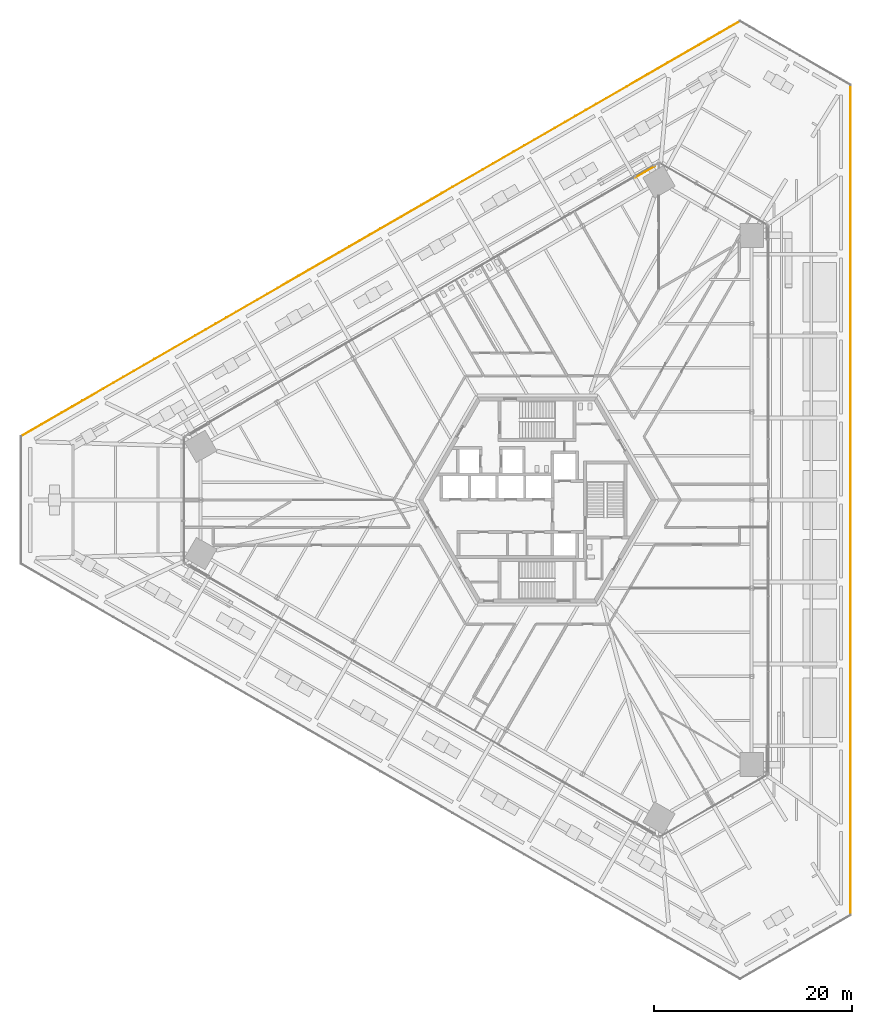
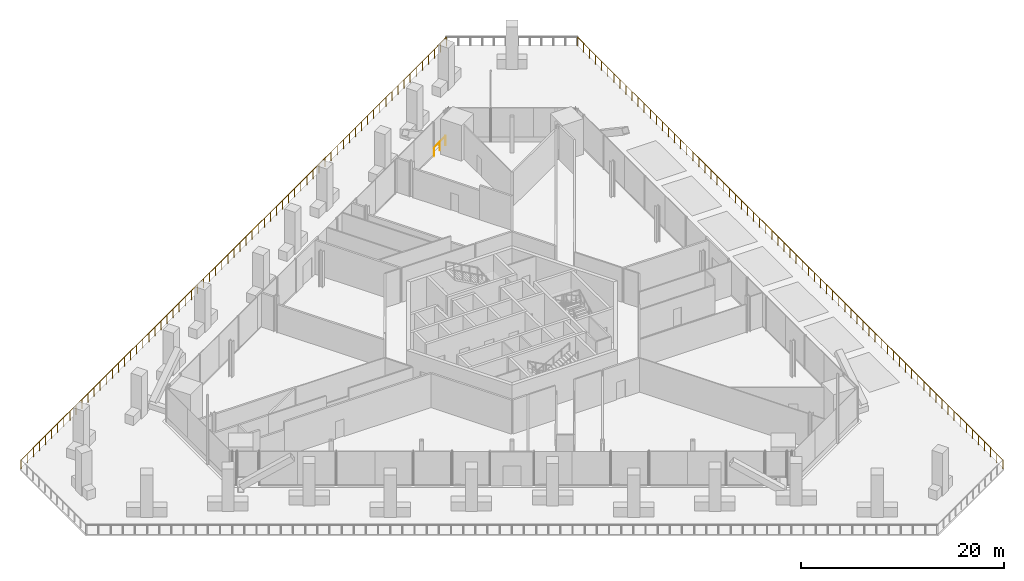
# One storey, part 34 of 38: 3 railings.
"""IFC4 building model written with IfcOpenShell, lengths in metres."""

from ifc_helpers import new_model, si_unit, direction, frame, origin, origin_2d, place, context, subcontext, project, spatial, circle, extrude, source, transform, mapped, material, type_object, element, save


model = new_model("IFC4")

# Units and contexts
model_context = context("Model", 3, precision=1e-05, world=origin(), true_north=direction((0.0, 1.0)))
body_context = subcontext(model_context, "Body", "Model", "MODEL_VIEW")
ifc_project = project(units=[si_unit("LENGTHUNIT", "METRE"), si_unit("AREAUNIT", "SQUARE_METRE"), si_unit("VOLUMEUNIT", "CUBIC_METRE"), si_unit("PLANEANGLEUNIT", "RADIAN"), si_unit("MASSUNIT", "GRAM", prefix="KILO")], contexts=[model_context])

# Site, building, storey
site_placement = place(None, origin())
site = spatial("IfcSite", under=ifc_project, at=site_placement, CompositionType="ELEMENT")
building_placement = place(site_placement, origin())
building = spatial("IfcBuilding", under=site, at=building_placement, Name="Triune Harvest Tower", CompositionType="ELEMENT")
storey_placement = place(building_placement, frame((0.0, 0.0, 16.0)))
storey = spatial("IfcBuildingStorey", under=building, at=storey_placement, Name="L03", CompositionType="ELEMENT", Elevation=16.0)

# Railings
ifc_material_1 = material(Name="Steel ASTM A992 Gr 50", Category="steel")
railing_type_1 = type_object("IfcRailingType", Name="GD-1 terrace guard 1100", PredefinedType="GUARDRAIL", material=ifc_material_1)
railing_1_placement = place(storey_placement, frame((-52.150146484375, 6.4423828125, 0.0)))
element("IfcRailing", 1, at=railing_1_placement, inside=storey, type_object=railing_type_1, Name="Terrace guard 4", PredefinedType="GUARDRAIL", context=body_context, shape_type="SweptSolid", body=[
    extrude(circle(Radius=0.02392578125, at=origin_2d()), frame((0.0, 0.0, 1.076171875), z_axis=(0.866025644997, 0.499999582207, 0.0), x_axis=(-0.499999582207, 0.866025644997, 0.0)), (0.0, 0.0, 1.0), 83.88427734375),
    extrude(circle(Radius=0.02099609375, at=origin_2d()), origin(), (0.0, 0.0, 1.0), 1.052001953125),
    extrude(circle(Radius=0.02099609375, at=origin_2d()), frame((1.037841796875, 0.59912109375, 0.0)), (0.0, 0.0, 1.0), 1.052001953125),
    extrude(circle(Radius=0.02099609375, at=origin_2d()), frame((2.07568359375, 1.1982421875, 0.0)), (0.0, 0.0, 1.0), 1.052001953125),
    extrude(circle(Radius=0.02099609375, at=origin_2d()), frame((3.11328125, 1.797607421875, 0.0)), (0.0, 0.0, 1.0), 1.052001953125),
    extrude(circle(Radius=0.02099609375, at=origin_2d()), frame((4.151123046875, 2.396728515625, 0.0)), (0.0, 0.0, 1.0), 1.052001953125),
    extrude(circle(Radius=0.02099609375, at=origin_2d()), frame((5.18896484375, 2.995849609375, 0.0)), (0.0, 0.0, 1.0), 1.052001953125),
    extrude(circle(Radius=0.02099609375, at=origin_2d()), frame((6.226806640625, 3.594970703125, 0.0)), (0.0, 0.0, 1.0), 1.052001953125),
    extrude(circle(Radius=0.02099609375, at=origin_2d()), frame((7.2646484375, 4.1943359375, 0.0)), (0.0, 0.0, 1.0), 1.052001953125),
    extrude(circle(Radius=0.02099609375, at=origin_2d()), frame((8.302490234375, 4.79345703125, 0.0)), (0.0, 0.0, 1.0), 1.052001953125),
    extrude(circle(Radius=0.02099609375, at=origin_2d()), frame((9.340087890625, 5.392578125, 0.0)), (0.0, 0.0, 1.0), 1.052001953125),
    extrude(circle(Radius=0.02099609375, at=origin_2d()), frame((10.3779296875, 5.99169921875, 0.0)), (0.0, 0.0, 1.0), 1.052001953125),
    extrude(circle(Radius=0.02099609375, at=origin_2d()), frame((11.415771484375, 6.5908203125, 0.0)), (0.0, 0.0, 1.0), 1.052001953125),
    extrude(circle(Radius=0.02099609375, at=origin_2d()), frame((12.45361328125, 7.190185546875, 0.0)), (0.0, 0.0, 1.0), 1.052001953125),
    extrude(circle(Radius=0.02099609375, at=origin_2d()), frame((13.491455078125, 7.789306640625, 0.0)), (0.0, 0.0, 1.0), 1.052001953125),
    extrude(circle(Radius=0.02099609375, at=origin_2d()), frame((14.529296875, 8.388427734375, 0.0)), (0.0, 0.0, 1.0), 1.052001953125),
    extrude(circle(Radius=0.02099609375, at=origin_2d()), frame((15.56689453125, 8.987548828125, 0.0)), (0.0, 0.0, 1.0), 1.052001953125),
    extrude(circle(Radius=0.02099609375, at=origin_2d()), frame((16.604736328125, 9.586669921875, 0.0)), (0.0, 0.0, 1.0), 1.052001953125),
    extrude(circle(Radius=0.02099609375, at=origin_2d()), frame((17.642578125, 10.18603515625, 0.0)), (0.0, 0.0, 1.0), 1.052001953125),
    extrude(circle(Radius=0.02099609375, at=origin_2d()), frame((18.680419921875, 10.78515625, 0.0)), (0.0, 0.0, 1.0), 1.052001953125),
    extrude(circle(Radius=0.02099609375, at=origin_2d()), frame((19.71826171875, 11.38427734375, 0.0)), (0.0, 0.0, 1.0), 1.052001953125),
    extrude(circle(Radius=0.02099609375, at=origin_2d()), frame((20.756103515625, 11.9833984375, 0.0)), (0.0, 0.0, 1.0), 1.052001953125),
    extrude(circle(Radius=0.02099609375, at=origin_2d()), frame((21.793701171875, 12.58251953125, 0.0)), (0.0, 0.0, 1.0), 1.052001953125),
    extrude(circle(Radius=0.02099609375, at=origin_2d()), frame((22.83154296875, 13.181884765625, 0.0)), (0.0, 0.0, 1.0), 1.052001953125),
    extrude(circle(Radius=0.02099609375, at=origin_2d()), frame((23.869384765625, 13.781005859375, 0.0)), (0.0, 0.0, 1.0), 1.052001953125),
    extrude(circle(Radius=0.02099609375, at=origin_2d()), frame((24.9072265625, 14.380126953125, 0.0)), (0.0, 0.0, 1.0), 1.052001953125),
    extrude(circle(Radius=0.02099609375, at=origin_2d()), frame((25.945068359375, 14.979248046875, 0.0)), (0.0, 0.0, 1.0), 1.052001953125),
    extrude(circle(Radius=0.02099609375, at=origin_2d()), frame((26.98291015625, 15.57861328125, 0.0)), (0.0, 0.0, 1.0), 1.052001953125),
    extrude(circle(Radius=0.02099609375, at=origin_2d()), frame((28.0205078125, 16.177734375, 0.0)), (0.0, 0.0, 1.0), 1.052001953125),
    extrude(circle(Radius=0.02099609375, at=origin_2d()), frame((29.058349609375, 16.77685546875, 0.0)), (0.0, 0.0, 1.0), 1.052001953125),
    extrude(circle(Radius=0.02099609375, at=origin_2d()), frame((30.09619140625, 17.3759765625, 0.0)), (0.0, 0.0, 1.0), 1.052001953125),
    extrude(circle(Radius=0.02099609375, at=origin_2d()), frame((31.134033203125, 17.97509765625, 0.0)), (0.0, 0.0, 1.0), 1.052001953125),
    extrude(circle(Radius=0.02099609375, at=origin_2d()), frame((32.171875, 18.574462890625, 0.0)), (0.0, 0.0, 1.0), 1.052001953125),
    extrude(circle(Radius=0.02099609375, at=origin_2d()), frame((33.209716796875, 19.173583984375, 0.0)), (0.0, 0.0, 1.0), 1.052001953125),
    extrude(circle(Radius=0.02099609375, at=origin_2d()), frame((34.247314453125, 19.772705078125, 0.0)), (0.0, 0.0, 1.0), 1.052001953125),
    extrude(circle(Radius=0.02099609375, at=origin_2d()), frame((35.28515625, 20.371826171875, 0.0)), (0.0, 0.0, 1.0), 1.052001953125),
    extrude(circle(Radius=0.02099609375, at=origin_2d()), frame((36.322998046875, 20.97119140625, 0.0)), (0.0, 0.0, 1.0), 1.052001953125),
    extrude(circle(Radius=0.02099609375, at=origin_2d()), frame((37.36083984375, 21.5703125, 0.0)), (0.0, 0.0, 1.0), 1.052001953125),
    extrude(circle(Radius=0.02099609375, at=origin_2d()), frame((38.398681640625, 22.16943359375, 0.0)), (0.0, 0.0, 1.0), 1.052001953125),
    extrude(circle(Radius=0.02099609375, at=origin_2d()), frame((39.436279296875, 22.7685546875, 0.0)), (0.0, 0.0, 1.0), 1.052001953125),
    extrude(circle(Radius=0.02099609375, at=origin_2d()), frame((40.47412109375, 23.36767578125, 0.0)), (0.0, 0.0, 1.0), 1.052001953125),
    extrude(circle(Radius=0.02099609375, at=origin_2d()), frame((41.511962890625, 23.967041015625, 0.0)), (0.0, 0.0, 1.0), 1.052001953125),
    extrude(circle(Radius=0.02099609375, at=origin_2d()), frame((42.5498046875, 24.566162109375, 0.0)), (0.0, 0.0, 1.0), 1.052001953125),
    extrude(circle(Radius=0.02099609375, at=origin_2d()), frame((43.587646484375, 25.165283203125, 0.0)), (0.0, 0.0, 1.0), 1.052001953125),
    extrude(circle(Radius=0.02099609375, at=origin_2d()), frame((44.62548828125, 25.764404296875, 0.0)), (0.0, 0.0, 1.0), 1.052001953125),
    extrude(circle(Radius=0.02099609375, at=origin_2d()), frame((45.6630859375, 26.363525390625, 0.0)), (0.0, 0.0, 1.0), 1.052001953125),
    extrude(circle(Radius=0.02099609375, at=origin_2d()), frame((46.700927734375, 26.962890625, 0.0)), (0.0, 0.0, 1.0), 1.052001953125),
    extrude(circle(Radius=0.02099609375, at=origin_2d()), frame((47.73876953125, 27.56201171875, 0.0)), (0.0, 0.0, 1.0), 1.052001953125),
    extrude(circle(Radius=0.02099609375, at=origin_2d()), frame((48.776611328125, 28.1611328125, 0.0)), (0.0, 0.0, 1.0), 1.052001953125),
    extrude(circle(Radius=0.02099609375, at=origin_2d()), frame((49.814453125, 28.76025390625, 0.0)), (0.0, 0.0, 1.0), 1.052001953125),
    extrude(circle(Radius=0.02099609375, at=origin_2d()), frame((50.852294921875, 29.359375, 0.0)), (0.0, 0.0, 1.0), 1.052001953125),
    extrude(circle(Radius=0.02099609375, at=origin_2d()), frame((51.889892578125, 29.958740234375, 0.0)), (0.0, 0.0, 1.0), 1.052001953125),
    extrude(circle(Radius=0.02099609375, at=origin_2d()), frame((52.927734375, 30.557861328125, 0.0)), (0.0, 0.0, 1.0), 1.052001953125),
    extrude(circle(Radius=0.02099609375, at=origin_2d()), frame((53.965576171875, 31.156982421875, 0.0)), (0.0, 0.0, 1.0), 1.052001953125),
    extrude(circle(Radius=0.02099609375, at=origin_2d()), frame((55.00341796875, 31.756103515625, 0.0)), (0.0, 0.0, 1.0), 1.052001953125),
    extrude(circle(Radius=0.02099609375, at=origin_2d()), frame((56.041259765625, 32.35546875, 0.0)), (0.0, 0.0, 1.0), 1.052001953125),
    extrude(circle(Radius=0.02099609375, at=origin_2d()), frame((57.0791015625, 32.95458984375, 0.0)), (0.0, 0.0, 1.0), 1.052001953125),
    extrude(circle(Radius=0.02099609375, at=origin_2d()), frame((58.11669921875, 33.5537109375, 0.0)), (0.0, 0.0, 1.0), 1.052001953125),
    extrude(circle(Radius=0.02099609375, at=origin_2d()), frame((59.154541015625, 34.15283203125, 0.0)), (0.0, 0.0, 1.0), 1.052001953125),
    extrude(circle(Radius=0.02099609375, at=origin_2d()), frame((60.1923828125, 34.751953125, 0.0)), (0.0, 0.0, 1.0), 1.052001953125),
    extrude(circle(Radius=0.02099609375, at=origin_2d()), frame((61.230224609375, 35.351318359375, 0.0)), (0.0, 0.0, 1.0), 1.052001953125),
    extrude(circle(Radius=0.02099609375, at=origin_2d()), frame((62.26806640625, 35.950439453125, 0.0)), (0.0, 0.0, 1.0), 1.052001953125),
    extrude(circle(Radius=0.02099609375, at=origin_2d()), frame((63.305908203125, 36.549560546875, 0.0)), (0.0, 0.0, 1.0), 1.052001953125),
    extrude(circle(Radius=0.02099609375, at=origin_2d()), frame((64.343505859375, 37.148681640625, 0.0)), (0.0, 0.0, 1.0), 1.052001953125),
    extrude(circle(Radius=0.02099609375, at=origin_2d()), frame((65.38134765625, 37.748046875, 0.0)), (0.0, 0.0, 1.0), 1.052001953125),
    extrude(circle(Radius=0.02099609375, at=origin_2d()), frame((66.419189453125, 38.34716796875, 0.0)), (0.0, 0.0, 1.0), 1.052001953125),
    extrude(circle(Radius=0.02099609375, at=origin_2d()), frame((67.45703125, 38.9462890625, 0.0)), (0.0, 0.0, 1.0), 1.052001953125),
    extrude(circle(Radius=0.02099609375, at=origin_2d()), frame((68.494873046875, 39.54541015625, 0.0)), (0.0, 0.0, 1.0), 1.052001953125),
    extrude(circle(Radius=0.02099609375, at=origin_2d()), frame((69.53271484375, 40.14453125, 0.0)), (0.0, 0.0, 1.0), 1.052001953125),
    extrude(circle(Radius=0.02099609375, at=origin_2d()), frame((70.5703125, 40.743896484375, 0.0)), (0.0, 0.0, 1.0), 1.052001953125),
    extrude(circle(Radius=0.02099609375, at=origin_2d()), frame((71.608154296875, 41.343017578125, 0.0)), (0.0, 0.0, 1.0), 1.052001953125),
    extrude(circle(Radius=0.02099609375, at=origin_2d()), frame((72.64599609375, 41.942138671875, 0.0)), (0.0, 0.0, 1.0), 1.052001953125),
])
railing_2_placement = place(storey_placement, frame((31.654296875, 41.9423828125, 0.0)))
element("IfcRailing", 2, at=railing_2_placement, inside=storey, type_object=railing_type_1, Name="Terrace guard 6", PredefinedType="GUARDRAIL", context=body_context, shape_type="SweptSolid", body=[
    extrude(circle(Radius=0.02392578125, at=origin_2d()), frame((0.0, 0.0, 1.076171875), z_axis=(0.0, -1.0, 0.0), x_axis=(1.0, 0.0, 0.0)), (0.0, 0.0, 1.0), 83.884765625),
    extrude(circle(Radius=0.02099609375, at=origin_2d()), origin(), (0.0, 0.0, 1.0), 1.052001953125),
    extrude(circle(Radius=0.02099609375, at=origin_2d()), frame((0.0, -1.1982421875, 0.0)), (0.0, 0.0, 1.0), 1.052001953125),
    extrude(circle(Radius=0.02099609375, at=origin_2d()), frame((0.0, -2.396728515625, 0.0)), (0.0, 0.0, 1.0), 1.052001953125),
    extrude(circle(Radius=0.02099609375, at=origin_2d()), frame((0.0, -3.594970703125, 0.0)), (0.0, 0.0, 1.0), 1.052001953125),
    extrude(circle(Radius=0.02099609375, at=origin_2d()), frame((0.0, -4.79345703125, 0.0)), (0.0, 0.0, 1.0), 1.052001953125),
    extrude(circle(Radius=0.02099609375, at=origin_2d()), frame((0.0, -5.99169921875, 0.0)), (0.0, 0.0, 1.0), 1.052001953125),
    extrude(circle(Radius=0.02099609375, at=origin_2d()), frame((0.0, -7.190185546875, 0.0)), (0.0, 0.0, 1.0), 1.052001953125),
    extrude(circle(Radius=0.02099609375, at=origin_2d()), frame((0.0, -8.388427734375, 0.0)), (0.0, 0.0, 1.0), 1.052001953125),
    extrude(circle(Radius=0.02099609375, at=origin_2d()), frame((0.0, -9.5869140625, 0.0)), (0.0, 0.0, 1.0), 1.052001953125),
    extrude(circle(Radius=0.02099609375, at=origin_2d()), frame((0.0, -10.78515625, 0.0)), (0.0, 0.0, 1.0), 1.052001953125),
    extrude(circle(Radius=0.02099609375, at=origin_2d()), frame((0.0, -11.983642578125, 0.0)), (0.0, 0.0, 1.0), 1.052001953125),
    extrude(circle(Radius=0.02099609375, at=origin_2d()), frame((0.0, -13.181884765625, 0.0)), (0.0, 0.0, 1.0), 1.052001953125),
    extrude(circle(Radius=0.02099609375, at=origin_2d()), frame((0.0, -14.380126953125, 0.0)), (0.0, 0.0, 1.0), 1.052001953125),
    extrude(circle(Radius=0.02099609375, at=origin_2d()), frame((0.0, -15.57861328125, 0.0)), (0.0, 0.0, 1.0), 1.052001953125),
    extrude(circle(Radius=0.02099609375, at=origin_2d()), frame((0.0, -16.77685546875, 0.0)), (0.0, 0.0, 1.0), 1.052001953125),
    extrude(circle(Radius=0.02099609375, at=origin_2d()), frame((0.0, -17.975341796875, 0.0)), (0.0, 0.0, 1.0), 1.052001953125),
    extrude(circle(Radius=0.02099609375, at=origin_2d()), frame((0.0, -19.173583984375, 0.0)), (0.0, 0.0, 1.0), 1.052001953125),
    extrude(circle(Radius=0.02099609375, at=origin_2d()), frame((0.0, -20.3720703125, 0.0)), (0.0, 0.0, 1.0), 1.052001953125),
    extrude(circle(Radius=0.02099609375, at=origin_2d()), frame((0.0, -21.5703125, 0.0)), (0.0, 0.0, 1.0), 1.052001953125),
    extrude(circle(Radius=0.02099609375, at=origin_2d()), frame((0.0, -22.768798828125, 0.0)), (0.0, 0.0, 1.0), 1.052001953125),
    extrude(circle(Radius=0.02099609375, at=origin_2d()), frame((0.0, -23.967041015625, 0.0)), (0.0, 0.0, 1.0), 1.052001953125),
    extrude(circle(Radius=0.02099609375, at=origin_2d()), frame((0.0, -25.16552734375, 0.0)), (0.0, 0.0, 1.0), 1.052001953125),
    extrude(circle(Radius=0.02099609375, at=origin_2d()), frame((0.0, -26.36376953125, 0.0)), (0.0, 0.0, 1.0), 1.052001953125),
    extrude(circle(Radius=0.02099609375, at=origin_2d()), frame((0.0, -27.562255859375, 0.0)), (0.0, 0.0, 1.0), 1.052001953125),
    extrude(circle(Radius=0.02099609375, at=origin_2d()), frame((0.0, -28.760498046875, 0.0)), (0.0, 0.0, 1.0), 1.052001953125),
    extrude(circle(Radius=0.02099609375, at=origin_2d()), frame((0.0, -29.958740234375, 0.0)), (0.0, 0.0, 1.0), 1.052001953125),
    extrude(circle(Radius=0.02099609375, at=origin_2d()), frame((0.0, -31.1572265625, 0.0)), (0.0, 0.0, 1.0), 1.052001953125),
    extrude(circle(Radius=0.02099609375, at=origin_2d()), frame((0.0, -32.35546875, 0.0)), (0.0, 0.0, 1.0), 1.052001953125),
    extrude(circle(Radius=0.02099609375, at=origin_2d()), frame((0.0, -33.553955078125, 0.0)), (0.0, 0.0, 1.0), 1.052001953125),
    extrude(circle(Radius=0.02099609375, at=origin_2d()), frame((0.0, -34.752197265625, 0.0)), (0.0, 0.0, 1.0), 1.052001953125),
    extrude(circle(Radius=0.02099609375, at=origin_2d()), frame((0.0, -35.95068359375, 0.0)), (0.0, 0.0, 1.0), 1.052001953125),
    extrude(circle(Radius=0.02099609375, at=origin_2d()), frame((0.0, -37.14892578125, 0.0)), (0.0, 0.0, 1.0), 1.052001953125),
    extrude(circle(Radius=0.02099609375, at=origin_2d()), frame((0.0, -38.347412109375, 0.0)), (0.0, 0.0, 1.0), 1.052001953125),
    extrude(circle(Radius=0.02099609375, at=origin_2d()), frame((0.0, -39.545654296875, 0.0)), (0.0, 0.0, 1.0), 1.052001953125),
    extrude(circle(Radius=0.02099609375, at=origin_2d()), frame((0.0, -40.744140625, 0.0)), (0.0, 0.0, 1.0), 1.052001953125),
    extrude(circle(Radius=0.02099609375, at=origin_2d()), frame((0.0, -41.9423828125, 0.0)), (0.0, 0.0, 1.0), 1.052001953125),
    extrude(circle(Radius=0.02099609375, at=origin_2d()), frame((0.0, -43.140625, 0.0)), (0.0, 0.0, 1.0), 1.052001953125),
    extrude(circle(Radius=0.02099609375, at=origin_2d()), frame((0.0, -44.339111328125, 0.0)), (0.0, 0.0, 1.0), 1.052001953125),
    extrude(circle(Radius=0.02099609375, at=origin_2d()), frame((0.0, -45.537353515625, 0.0)), (0.0, 0.0, 1.0), 1.052001953125),
    extrude(circle(Radius=0.02099609375, at=origin_2d()), frame((0.0, -46.73583984375, 0.0)), (0.0, 0.0, 1.0), 1.052001953125),
    extrude(circle(Radius=0.02099609375, at=origin_2d()), frame((0.0, -47.93408203125, 0.0)), (0.0, 0.0, 1.0), 1.052001953125),
    extrude(circle(Radius=0.02099609375, at=origin_2d()), frame((0.0, -49.132568359375, 0.0)), (0.0, 0.0, 1.0), 1.052001953125),
    extrude(circle(Radius=0.02099609375, at=origin_2d()), frame((0.0, -50.330810546875, 0.0)), (0.0, 0.0, 1.0), 1.052001953125),
    extrude(circle(Radius=0.02099609375, at=origin_2d()), frame((0.0, -51.529296875, 0.0)), (0.0, 0.0, 1.0), 1.052001953125),
    extrude(circle(Radius=0.02099609375, at=origin_2d()), frame((0.0, -52.7275390625, 0.0)), (0.0, 0.0, 1.0), 1.052001953125),
    extrude(circle(Radius=0.02099609375, at=origin_2d()), frame((0.0, -53.926025390625, 0.0)), (0.0, 0.0, 1.0), 1.052001953125),
    extrude(circle(Radius=0.02099609375, at=origin_2d()), frame((0.0, -55.124267578125, 0.0)), (0.0, 0.0, 1.0), 1.052001953125),
    extrude(circle(Radius=0.02099609375, at=origin_2d()), frame((0.0, -56.322509765625, 0.0)), (0.0, 0.0, 1.0), 1.052001953125),
    extrude(circle(Radius=0.02099609375, at=origin_2d()), frame((0.0, -57.52099609375, 0.0)), (0.0, 0.0, 1.0), 1.052001953125),
    extrude(circle(Radius=0.02099609375, at=origin_2d()), frame((0.0, -58.71923828125, 0.0)), (0.0, 0.0, 1.0), 1.052001953125),
    extrude(circle(Radius=0.02099609375, at=origin_2d()), frame((0.0, -59.917724609375, 0.0)), (0.0, 0.0, 1.0), 1.052001953125),
    extrude(circle(Radius=0.02099609375, at=origin_2d()), frame((0.0, -61.115966796875, 0.0)), (0.0, 0.0, 1.0), 1.052001953125),
    extrude(circle(Radius=0.02099609375, at=origin_2d()), frame((0.0, -62.314453125, 0.0)), (0.0, 0.0, 1.0), 1.052001953125),
    extrude(circle(Radius=0.02099609375, at=origin_2d()), frame((0.0, -63.5126953125, 0.0)), (0.0, 0.0, 1.0), 1.052001953125),
    extrude(circle(Radius=0.02099609375, at=origin_2d()), frame((0.0, -64.711181640625, 0.0)), (0.0, 0.0, 1.0), 1.052001953125),
    extrude(circle(Radius=0.02099609375, at=origin_2d()), frame((0.0, -65.909423828125, 0.0)), (0.0, 0.0, 1.0), 1.052001953125),
    extrude(circle(Radius=0.02099609375, at=origin_2d()), frame((0.0, -67.10791015625, 0.0)), (0.0, 0.0, 1.0), 1.052001953125),
    extrude(circle(Radius=0.02099609375, at=origin_2d()), frame((0.0, -68.30615234375, 0.0)), (0.0, 0.0, 1.0), 1.052001953125),
    extrude(circle(Radius=0.02099609375, at=origin_2d()), frame((0.0, -69.504638671875, 0.0)), (0.0, 0.0, 1.0), 1.052001953125),
    extrude(circle(Radius=0.02099609375, at=origin_2d()), frame((0.0, -70.702880859375, 0.0)), (0.0, 0.0, 1.0), 1.052001953125),
    extrude(circle(Radius=0.02099609375, at=origin_2d()), frame((0.0, -71.901123046875, 0.0)), (0.0, 0.0, 1.0), 1.052001953125),
    extrude(circle(Radius=0.02099609375, at=origin_2d()), frame((0.0, -73.099609375, 0.0)), (0.0, 0.0, 1.0), 1.052001953125),
    extrude(circle(Radius=0.02099609375, at=origin_2d()), frame((0.0, -74.2978515625, 0.0)), (0.0, 0.0, 1.0), 1.052001953125),
    extrude(circle(Radius=0.02099609375, at=origin_2d()), frame((0.0, -75.496337890625, 0.0)), (0.0, 0.0, 1.0), 1.052001953125),
    extrude(circle(Radius=0.02099609375, at=origin_2d()), frame((0.0, -76.694580078125, 0.0)), (0.0, 0.0, 1.0), 1.052001953125),
    extrude(circle(Radius=0.02099609375, at=origin_2d()), frame((0.0, -77.89306640625, 0.0)), (0.0, 0.0, 1.0), 1.052001953125),
    extrude(circle(Radius=0.02099609375, at=origin_2d()), frame((0.0, -79.09130859375, 0.0)), (0.0, 0.0, 1.0), 1.052001953125),
    extrude(circle(Radius=0.02099609375, at=origin_2d()), frame((0.0, -80.289794921875, 0.0)), (0.0, 0.0, 1.0), 1.052001953125),
    extrude(circle(Radius=0.02099609375, at=origin_2d()), frame((0.0, -81.488037109375, 0.0)), (0.0, 0.0, 1.0), 1.052001953125),
    extrude(circle(Radius=0.02099609375, at=origin_2d()), frame((0.0, -82.6865234375, 0.0)), (0.0, 0.0, 1.0), 1.052001953125),
    extrude(circle(Radius=0.02099609375, at=origin_2d()), frame((0.0, -83.884765625, 0.0)), (0.0, 0.0, 1.0), 1.052001953125),
])
ifc_material_2 = material(Name="Glass", Category="glass")
railing_type_2 = type_object("IfcRailingType", Name="GD-3 facade guard 1100", PredefinedType="GUARDRAIL", material=ifc_material_2)
shared_shape = source(origin(), body_context, "Body", "SweptSolid", [
    extrude(circle(Radius=0.02392578125, at=origin_2d()), frame((0.0, 0.0, 1.076171875), z_axis=(-0.866056598889, -0.499945964601, 0.0), x_axis=(0.499945964601, -0.866056598889, 0.0)), (0.0, 0.0, 1.0), 2.269287109375),
    extrude(circle(Radius=0.02099609375, at=origin_2d()), origin(), (0.0, 0.0, 1.0), 1.052001953125),
    extrude(circle(Radius=0.02099609375, at=origin_2d()), frame((-0.982666015625, -0.5673828125, 0.0)), (0.0, 0.0, 1.0), 1.052001953125),
    extrude(circle(Radius=0.02099609375, at=origin_2d()), frame((-1.96533203125, -1.134521484375, 0.0)), (0.0, 0.0, 1.0), 1.052001953125),
])
railing_3_placement = place(storey_placement, frame((11.89111328125, 33.708984375, 0.0)))
element("IfcRailing", 3, at=railing_3_placement, inside=storey, type_object=railing_type_2, Name="Facade guard B1-F3 L03.1.1", PredefinedType="GUARDRAIL", context=body_context, shape_type="MappedRepresentation", body=[
    mapped(shared_shape, transform((0.0, 0.0, 0.0), scale=1.0)),
])

save(model, "model.ifc")
